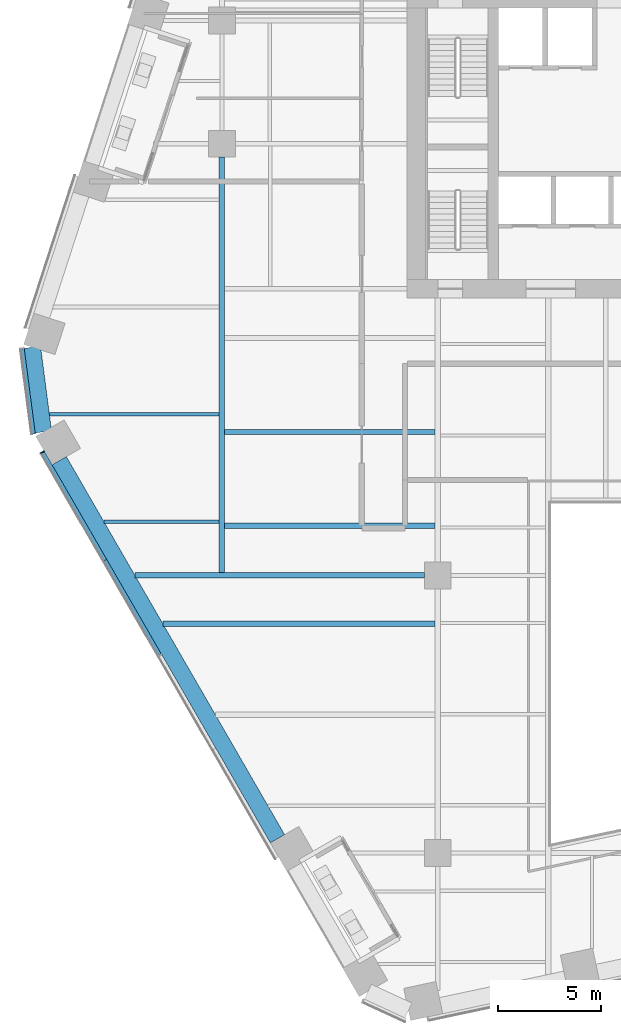
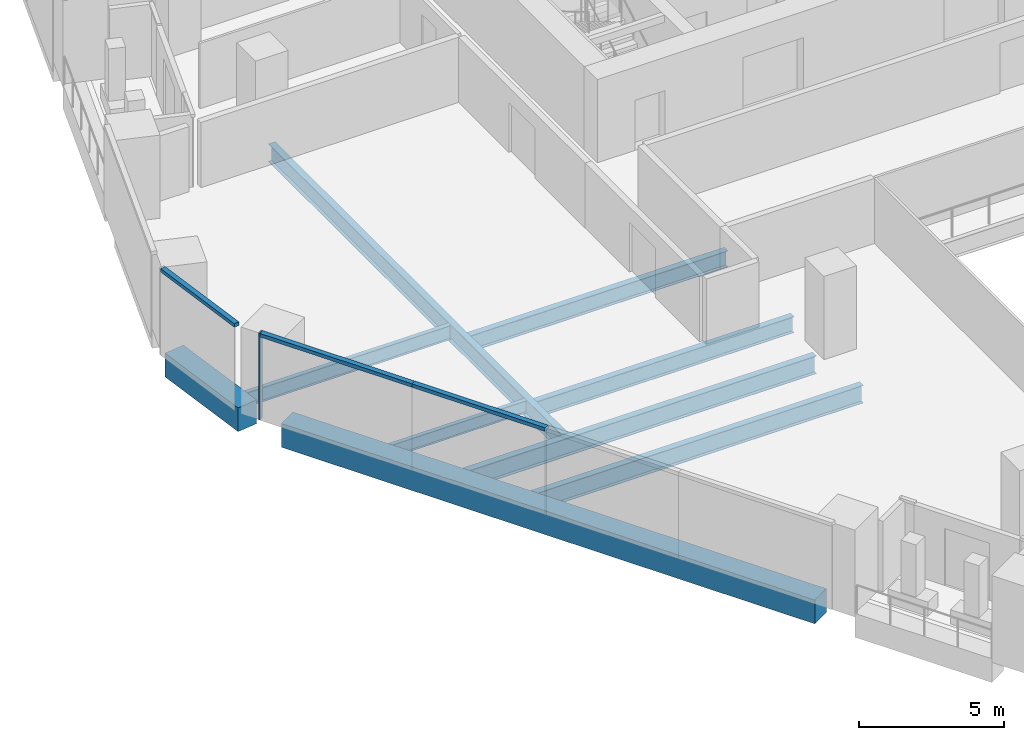
# One storey, part 4 of 28: 9 beams, 4 members, 2 elements without a shape of their own.
"""IFC4 building model written with IfcOpenShell, lengths in metres."""

from ifc_helpers import new_model, si_unit, direction, frame, origin, origin_2d, place, context, subcontext, project, spatial, rectangle, i_section, extrude, material, layer, layer_set, material_profile, profile_set, type_object, element, aggregate, save


model = new_model("IFC4")

# Units and contexts
model_context = context("Model", 3, precision=1e-05, world=origin(), true_north=direction((0.0, 1.0)))
body_context = subcontext(model_context, "Body", "Model", "MODEL_VIEW")
ifc_project = project(units=[si_unit("LENGTHUNIT", "METRE"), si_unit("AREAUNIT", "SQUARE_METRE"), si_unit("VOLUMEUNIT", "CUBIC_METRE"), si_unit("PLANEANGLEUNIT", "RADIAN"), si_unit("MASSUNIT", "GRAM", prefix="KILO")], contexts=[model_context])

# Site, building, storey
site_placement = place(None, origin())
site = spatial("IfcSite", under=ifc_project, at=site_placement, CompositionType="ELEMENT")
building_placement = place(site_placement, origin())
building = spatial("IfcBuilding", under=site, at=building_placement, Name="Isthmus Gate Tower", CompositionType="ELEMENT")
storey_placement = place(building_placement, frame((0.0, 0.0, 98.89990234375)))
storey = spatial("IfcBuildingStorey", under=building, at=storey_placement, Name="L23", CompositionType="ELEMENT", Elevation=98.89990234375)

# Curtain wall, member
ifc_material_1 = material(Name="Aluminium, pale champagne anodised", Category="aluminium")
ifc_layer = layer(ifc_material_1, 0.199951171875)
ifc_layer_set = layer_set([ifc_layer], Name="CW-1 UNITISED CURTAIN WALL 200 DEEP")
curtain_wall_type = type_object("IfcCurtainWallType", Name="CW-1 UNITISED CURTAIN WALL 200 DEEP", PredefinedType="NOTDEFINED", material=ifc_layer_set)
curtain_wall_1_placement = place(storey_placement, origin())
curtain_wall_1 = element("IfcCurtainWall", 1, at=curtain_wall_1_placement, inside=storey, type_object=curtain_wall_type, Name="CW-1 SW L23", PredefinedType="NOTDEFINED")
ifc_material_2 = material(Name="Aluminium, pale champagne anodised", Category="aluminium")
ifc_material_profile_1 = material_profile(ifc_material_2, rectangle(XDim=0.06005859375, YDim=0.199951171875, at=origin_2d()), Name="60x200")
ifc_profile_set_1 = profile_set([ifc_material_profile_1], Name="Aluminium, pale champagne anodised")
member_type_1 = type_object("IfcMemberType", Name="CW-1 MULLION 60 X 200", PredefinedType="MULLION", material=ifc_profile_set_1)
member_1_placement = place(storey_placement, frame((-32.7353515625, -7.500732421875, 0.0), z_axis=(0.0, 0.0, 1.0), x_axis=(0.5, -0.866025403784, 0.0)))
member_1 = element("IfcMember", 2, at=member_1_placement, type_object=member_type_1, Name="CW-1 mullion", PredefinedType="MULLION", context=body_context, shape_type="SweptSolid", body=[
    extrude(rectangle(XDim=0.06005859375, YDim=0.199951171875, at=origin_2d()), origin(), (0.0, 0.0, 1.0), 3.650146484375),
])

curtain_wall_2_placement = place(storey_placement, origin())
curtain_wall_2 = element("IfcCurtainWall", 3, at=curtain_wall_2_placement, inside=storey, type_object=curtain_wall_type, Name="CW-1 NW-SW L23", PredefinedType="NOTDEFINED")
ifc_material_3 = material(Name="Aluminium, pale champagne anodised", Category="aluminium")
ifc_material_profile_2 = material_profile(ifc_material_3, rectangle(XDim=0.199951171875, YDim=0.14990234375, at=origin_2d()), Name="200x150")
ifc_profile_set_2 = profile_set([ifc_material_profile_2], Name="Aluminium, pale champagne anodised")
member_type_2 = type_object("IfcMemberType", Name="CW-1 TRANSOM 200 X 150", PredefinedType="USERDEFINED", material=ifc_profile_set_2)
member_2_placement = place(storey_placement, frame((-33.71923828125, -2.474609375, 3.5751953125), z_axis=(0.129206893318, -0.991617657527, 0.0), x_axis=(0.991617657527, 0.129206893318, 0.0)))
member_2 = element("IfcMember", 4, at=member_2_placement, type_object=member_type_2, Name="CW-1 transom", ObjectType="TRANSOM", PredefinedType="USERDEFINED", context=body_context, shape_type="SweptSolid", body=[
    extrude(rectangle(XDim=0.199951171875, YDim=0.14990234375, at=origin_2d()), origin(), (0.0, 0.0, 1.0), 4.181640625),
])
aggregate(curtain_wall_2, [member_2])

# Member
member_3_placement = place(storey_placement, frame((-32.720458984375, -7.526611328125, 3.5751953125), z_axis=(0.500011280007, -0.866018891171, 0.0), x_axis=(0.866018891171, 0.500011280007, 0.0)))
member_3 = element("IfcMember", 5, at=member_3_placement, type_object=member_type_2, Name="CW-1 transom", ObjectType="TRANSOM", PredefinedType="USERDEFINED", context=body_context, shape_type="SweptSolid", body=[
    extrude(rectangle(XDim=0.199951171875, YDim=0.14990234375, at=origin_2d()), origin(), (0.0, 0.0, 1.0), 6.048583984375),
])

member_4_placement = place(storey_placement, frame((-29.696044921875, -12.764892578125, 3.5751953125), z_axis=(0.499997139945, -0.866027055032, 0.0), x_axis=(0.866027055032, 0.499997139945, 0.0)))
member_4 = element("IfcMember", 6, at=member_4_placement, type_object=member_type_2, Name="CW-1 transom", ObjectType="TRANSOM", PredefinedType="USERDEFINED", context=body_context, shape_type="SweptSolid", body=[
    extrude(rectangle(XDim=0.199951171875, YDim=0.14990234375, at=origin_2d()), origin(), (0.0, 0.0, 1.0), 5.30859375),
])

aggregate(curtain_wall_1, [member_1, member_3, member_4])

# Beams
ifc_material_4 = material(Name="Concrete f'c 70 MPa", Category="concrete")
ifc_material_profile_3 = material_profile(ifc_material_4, rectangle(XDim=0.800048828125, YDim=1.0, at=origin_2d()), Name="RC 800X1000")
ifc_profile_set_3 = profile_set([ifc_material_profile_3], Name="Concrete f'c 70 MPa")
beam_type_1 = type_object("IfcBeamType", Name="RC SPANDREL 800 X 1000", PredefinedType="SPANDREL", material=ifc_profile_set_3)
beam_1_placement = place(storey_placement, frame((-21.300048828125, -26.30712890625, -0.5), z_axis=(-0.499997139945, 0.866027055032, 0.0), x_axis=(-0.866027055032, -0.499997139945, 0.0)))
element("IfcBeam", 7, at=beam_1_placement, inside=storey, type_object=beam_type_1, Name="str-spandrel-L23-16", PredefinedType="SPANDREL", context=body_context, shape_type="SweptSolid", body=[
    extrude(rectangle(XDim=0.800048828125, YDim=1.0, at=origin_2d()), origin(), (0.0, 0.0, 1.0), 21.234375),
])
beam_2_placement = place(storey_placement, frame((-32.6884765625, -6.515380859375, -0.5), z_axis=(-0.129170777359, 0.991622362735, 0.0), x_axis=(-0.991622362735, -0.129170777359, 0.0)))
element("IfcBeam", 8, at=beam_2_placement, inside=storey, type_object=beam_type_1, Name="str-spandrel-L23-17", PredefinedType="SPANDREL", context=body_context, shape_type="SweptSolid", body=[
    extrude(rectangle(XDim=0.800048828125, YDim=1.0, at=origin_2d()), origin(), (0.0, 0.0, 1.0), 4.15234375),
])
ifc_material_5 = material(Name="Structural steel ASTM A992 Gr 50", Category="steel")
ifc_material_profile_4 = material_profile(ifc_material_5, i_section(OverallWidth=0.1650390625, OverallDepth=0.52392578125, WebThickness=0.009521484375, FlangeThickness=0.010986328125, at=origin_2d()), Name="W21X44")
ifc_profile_set_4 = profile_set([ifc_material_profile_4], Name="Structural steel ASTM A992 Gr 50")
beam_type_2 = type_object("IfcBeamType", Name="STEEL FLOOR BEAM W21X44", PredefinedType="JOIST", material=ifc_profile_set_4)
beam_3_placement = place(storey_placement, frame((-29.740478515625, -10.88818359375, -0.411865234375), z_axis=(1.0, 0.0, 0.0), x_axis=(0.0, 1.0, 0.0)))
element("IfcBeam", 9, at=beam_3_placement, inside=storey, type_object=beam_type_2, Name="str-beam-L23-01-00", PredefinedType="JOIST", context=body_context, shape_type="SweptSolid", body=[
    extrude(i_section(OverallWidth=0.1650390625, OverallDepth=0.52392578125, WebThickness=0.009521484375, FlangeThickness=0.010986328125, at=origin_2d()), origin(), (0.0, 0.0, 1.0), 5.607177734375),
])
ifc_material_6 = material(Name="Structural steel ASTM A992 Gr 50", Category="steel")
ifc_material_profile_5 = material_profile(ifc_material_6, i_section(OverallWidth=0.177734375, OverallDepth=0.60009765625, WebThickness=0.009521484375, FlangeThickness=0.0126953125, at=origin_2d()), Name="W24X55")
ifc_profile_set_5 = profile_set([ifc_material_profile_5], Name="Structural steel ASTM A992 Gr 50")
beam_type_3 = type_object("IfcBeamType", Name="STEEL FLOOR BEAM W24X55", PredefinedType="JOIST", material=ifc_profile_set_5)
beam_4_placement = place(storey_placement, frame((-32.39599609375, -5.664306640625, -0.449951171875), z_axis=(1.0, 0.0, 0.0), x_axis=(0.0, 1.0, 0.0)))
element("IfcBeam", 10, at=beam_4_placement, inside=storey, type_object=beam_type_3, Name="str-beam-L23-01-01", PredefinedType="JOIST", context=body_context, shape_type="SweptSolid", body=[
    extrude(i_section(OverallWidth=0.177734375, OverallDepth=0.60009765625, WebThickness=0.009521484375, FlangeThickness=0.0126953125, at=origin_2d()), origin(), (0.0, 0.0, 1.0), 8.2626953125),
])
ifc_material_7 = material(Name="Structural steel ASTM A992 Gr 50", Category="steel")
ifc_material_profile_6 = material_profile(ifc_material_7, i_section(OverallWidth=0.25390625, OverallDepth=0.679443359375, WebThickness=0.010986328125, FlangeThickness=0.015869140625, at=origin_2d()), Name="W27X84")
ifc_profile_set_6 = profile_set([ifc_material_profile_6], Name="Structural steel ASTM A992 Gr 50")
beam_type_4 = type_object("IfcBeamType", Name="STEEL FLOOR BEAM W27X84", PredefinedType="JOIST", material=ifc_profile_set_6)
for number, where, z_axis, x_axis, name in (
    (11, (-23.86669921875, -11.0830078125, -0.489501953125), (1.0, 0.0, 0.0), (0.0, 1.0, 0.0), "str-beam-L23-09-00"),
    (12, (-23.86669921875, -6.515380859375, -0.489501953125), (1.0, 0.0, 0.0), (0.0, 1.0, 0.0), "str-beam-L23-09-01"),
):
    element("IfcBeam", number, at=place(storey_placement, frame(where, z_axis=z_axis, x_axis=x_axis)), inside=storey, type_object=beam_type_4, Name=name, PredefinedType="JOIST", context=body_context, shape_type="SweptSolid", body=[
        extrude(i_section(OverallWidth=0.25390625, OverallDepth=0.679443359375, WebThickness=0.010986328125, FlangeThickness=0.015869140625, at=origin_2d()), origin(), (0.0, 0.0, 1.0), 10.23486328125),
    ])
ifc_material_8 = material(Name="Structural steel ASTM A992 Gr 50", Category="steel")
ifc_material_profile_7 = material_profile(ifc_material_8, i_section(OverallWidth=0.263427734375, OverallDepth=0.749267578125, WebThickness=0.0126953125, FlangeThickness=0.015869140625, at=origin_2d()), Name="W30X90")
ifc_profile_set_7 = profile_set([ifc_material_profile_7], Name="Structural steel ASTM A992 Gr 50")
beam_type_5 = type_object("IfcBeamType", Name="STEEL FLOOR BEAM W30X90", PredefinedType="JOIST", material=ifc_profile_set_7)
beam_5_placement = place(storey_placement, frame((-26.877685546875, -15.846435546875, -0.524658203125), z_axis=(1.0, 0.0, 0.0), x_axis=(0.0, 1.0, 0.0)))
element("IfcBeam", 13, at=beam_5_placement, inside=storey, type_object=beam_type_5, Name="str-beam-L23-07-02", PredefinedType="JOIST", context=body_context, shape_type="SweptSolid", body=[
    extrude(i_section(OverallWidth=0.263427734375, OverallDepth=0.749267578125, WebThickness=0.0126953125, FlangeThickness=0.015869140625, at=origin_2d()), origin(), (0.0, 0.0, 1.0), 13.245849609375),
])
ifc_material_9 = material(Name="Structural steel ASTM A992 Gr 50", Category="steel")
ifc_material_profile_8 = material_profile(ifc_material_9, i_section(OverallWidth=0.2666015625, OverallDepth=0.7587890625, WebThickness=0.014404296875, FlangeThickness=0.01904296875, at=origin_2d()), Name="W30X108")
ifc_profile_set_8 = profile_set([ifc_material_profile_8], Name="Structural steel ASTM A992 Gr 50")
beam_type_6 = type_object("IfcBeamType", Name="STEEL GIRDER W30X108", PredefinedType="BEAM", material=ifc_profile_set_8)
beam_6_placement = place(storey_placement, frame((-28.232421875, -13.5, -0.529296875), z_axis=(1.0, 0.0, 0.0), x_axis=(0.0, 1.0, 0.0)))
element("IfcBeam", 14, at=beam_6_placement, inside=storey, type_object=beam_type_6, Name="str-girder-L23-05", PredefinedType="BEAM", context=body_context, shape_type="SweptSolid", body=[
    extrude(i_section(OverallWidth=0.2666015625, OverallDepth=0.7587890625, WebThickness=0.014404296875, FlangeThickness=0.01904296875, at=origin_2d()), origin(), (0.0, 0.0, 1.0), 14.08251953125),
])
beam_7_placement = place(storey_placement, frame((-24.0, -13.36669921875, -0.529296875), z_axis=(0.0, 1.0, 0.0), x_axis=(-1.0, 0.0, 0.0)))
element("IfcBeam", 15, at=beam_7_placement, inside=storey, type_object=beam_type_6, Name="str-girder-L23-21", PredefinedType="BEAM", context=body_context, shape_type="SweptSolid", body=[
    extrude(i_section(OverallWidth=0.2666015625, OverallDepth=0.7587890625, WebThickness=0.014404296875, FlangeThickness=0.01904296875, at=origin_2d()), origin(), (0.0, 0.0, 1.0), 20.216796875),
])

save(model, "model.ifc")
